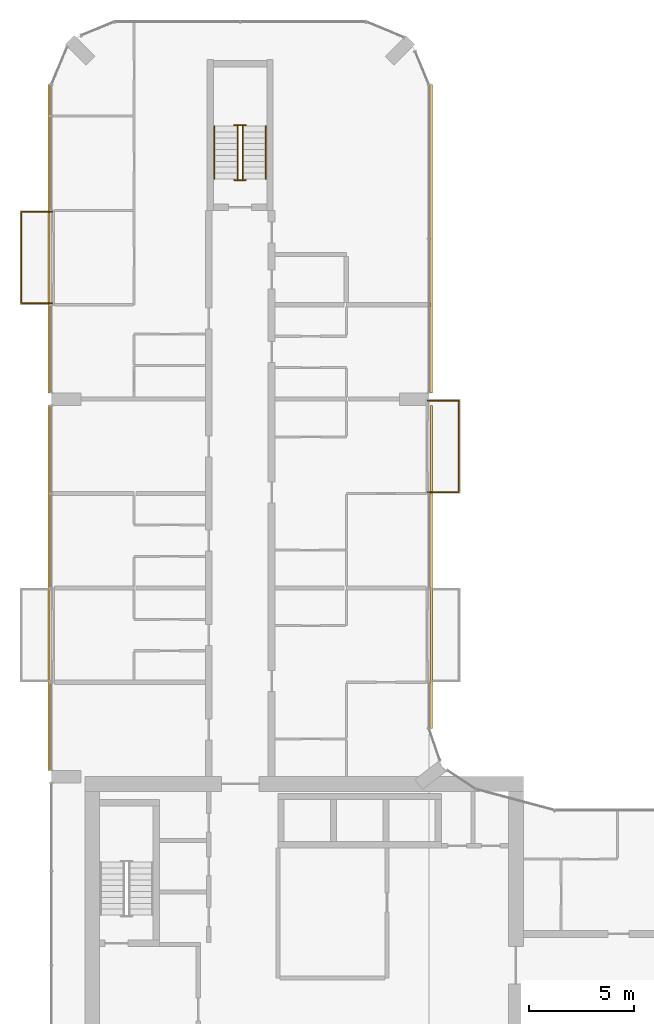
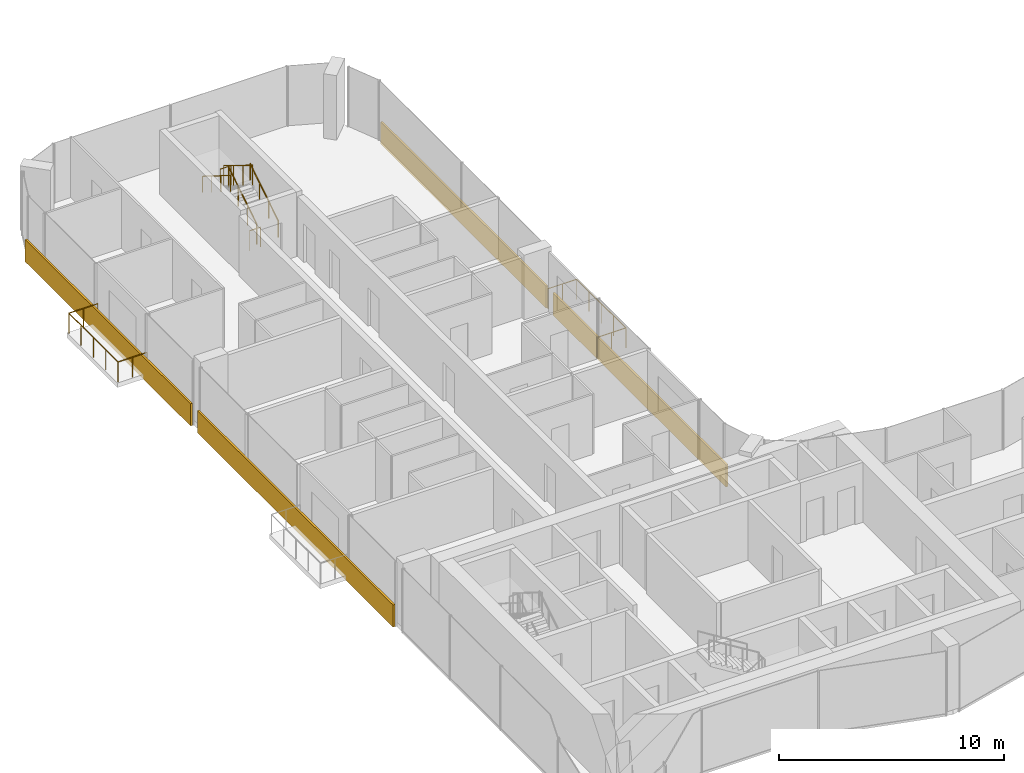
# One storey, part 22 of 23: 8 railings, 4 coverings.
"""IFC4 building model written with IfcOpenShell, lengths in metres."""

from ifc_helpers import new_model, si_unit, direction, frame, origin, origin_2d, place, context, subcontext, project, spatial, rectangle, circle, extrude, material, layer, layer_set, type_object, element, save


model = new_model("IFC4")

# Units and contexts
model_context = context("Model", 3, precision=1e-05, world=origin(), true_north=direction((0.0, 1.0)))
body_context = subcontext(model_context, "Body", "Model", "MODEL_VIEW")
ifc_project = project(units=[si_unit("LENGTHUNIT", "METRE"), si_unit("AREAUNIT", "SQUARE_METRE"), si_unit("VOLUMEUNIT", "CUBIC_METRE"), si_unit("PLANEANGLEUNIT", "RADIAN"), si_unit("MASSUNIT", "GRAM", prefix="KILO")], contexts=[model_context])

# Site, building, storey
site_placement = place(None, origin())
site = spatial("IfcSite", under=ifc_project, at=site_placement, CompositionType="ELEMENT")
building_placement = place(site_placement, origin())
building = spatial("IfcBuilding", under=site, at=building_placement, Name="Plateau Cross Towers", CompositionType="ELEMENT")
storey_placement = place(building_placement, frame((0.0, 0.0, 81.800048828125)))
storey = spatial("IfcBuildingStorey", under=building, at=storey_placement, Name="L20", CompositionType="ELEMENT", Elevation=81.800048828125)

# Railings
ifc_material_1 = material(Name="Stainless steel and toughened glass", Category="steel")
railing_type_1 = type_object("IfcRailingType", Name="Glass balustrade guard 1100", PredefinedType="GUARDRAIL", material=ifc_material_1)
railing_1_placement = place(storey_placement, frame((0.050048828125, 40.570068359375, 0.0)))
element("IfcRailing", 1, at=railing_1_placement, inside=storey, type_object=railing_type_1, Name="Guard guard1", PredefinedType="GUARDRAIL", context=body_context, shape_type="SweptSolid", body=[
    extrude(circle(Radius=0.02392578125, at=origin_2d()), frame((0.0, 0.0, 1.076171875), z_axis=(-1.0, 0.0, 0.0), x_axis=(0.0, -1.0, 0.0)), (0.0, 0.0, 1.0), 1.47998046875),
    extrude(circle(Radius=0.02392578125, at=origin_2d()), frame((-1.47998046875, 0.0, 1.076171875), z_axis=(0.0, 1.0, 0.0), x_axis=(-1.0, 0.0, 0.0)), (0.0, 0.0, 1.0), 4.35986328125),
    extrude(circle(Radius=0.02392578125, at=origin_2d()), frame((-1.47998046875, 4.35986328125, 1.076171875), z_axis=(1.0, 0.0, 0.0), x_axis=(0.0, 1.0, 0.0)), (0.0, 0.0, 1.0), 1.47998046875),
    extrude(circle(Radius=0.02099609375, at=origin_2d()), origin(), (0.0, 0.0, 1.0), 1.052001953125),
    extrude(circle(Radius=0.02099609375, at=origin_2d()), frame((-0.739990234375, 0.0, 0.0)), (0.0, 0.0, 1.0), 1.052001953125),
    extrude(circle(Radius=0.02099609375, at=origin_2d()), frame((-1.47998046875, 0.0, 0.0)), (0.0, 0.0, 1.0), 1.052001953125),
    extrude(circle(Radius=0.02099609375, at=origin_2d()), frame((-1.47998046875, 1.08984375, 0.0)), (0.0, 0.0, 1.0), 1.052001953125),
    extrude(circle(Radius=0.02099609375, at=origin_2d()), frame((-1.47998046875, 2.179931640625, 0.0)), (0.0, 0.0, 1.0), 1.052001953125),
    extrude(circle(Radius=0.02099609375, at=origin_2d()), frame((-1.47998046875, 3.27001953125, 0.0)), (0.0, 0.0, 1.0), 1.052001953125),
    extrude(circle(Radius=0.02099609375, at=origin_2d()), frame((-1.47998046875, 4.35986328125, 0.0)), (0.0, 0.0, 1.0), 1.052001953125),
    extrude(circle(Radius=0.02099609375, at=origin_2d()), frame((-0.739990234375, 4.35986328125, 0.0)), (0.0, 0.0, 1.0), 1.052001953125),
    extrude(circle(Radius=0.02099609375, at=origin_2d()), frame((0.0, 4.35986328125, 0.0)), (0.0, 0.0, 1.0), 1.052001953125),
])
railing_2_placement = place(storey_placement, frame((17.949951171875, 35.929931640625, 0.0)))
element("IfcRailing", 2, at=railing_2_placement, inside=storey, type_object=railing_type_1, Name="Guard guard1", PredefinedType="GUARDRAIL", context=body_context, shape_type="SweptSolid", body=[
    extrude(circle(Radius=0.02392578125, at=origin_2d()), frame((0.0, 0.0, 1.076171875), z_axis=(1.0, 0.0, 0.0), x_axis=(0.0, 1.0, 0.0)), (0.0, 0.0, 1.0), 1.47998046875),
    extrude(circle(Radius=0.02392578125, at=origin_2d()), frame((1.47998046875, 0.0, 1.076171875), z_axis=(0.0, -1.0, 0.0), x_axis=(1.0, 0.0, 0.0)), (0.0, 0.0, 1.0), 4.35986328125),
    extrude(circle(Radius=0.02392578125, at=origin_2d()), frame((1.47998046875, -4.35986328125, 1.076171875), z_axis=(-1.0, 0.0, 0.0), x_axis=(0.0, -1.0, 0.0)), (0.0, 0.0, 1.0), 1.47998046875),
    extrude(circle(Radius=0.02099609375, at=origin_2d()), origin(), (0.0, 0.0, 1.0), 1.052001953125),
    extrude(circle(Radius=0.02099609375, at=origin_2d()), frame((0.739990234375, 0.0, 0.0)), (0.0, 0.0, 1.0), 1.052001953125),
    extrude(circle(Radius=0.02099609375, at=origin_2d()), frame((1.47998046875, 0.0, 0.0)), (0.0, 0.0, 1.0), 1.052001953125),
    extrude(circle(Radius=0.02099609375, at=origin_2d()), frame((1.47998046875, -1.08984375, 0.0)), (0.0, 0.0, 1.0), 1.052001953125),
    extrude(circle(Radius=0.02099609375, at=origin_2d()), frame((1.47998046875, -2.179931640625, 0.0)), (0.0, 0.0, 1.0), 1.052001953125),
    extrude(circle(Radius=0.02099609375, at=origin_2d()), frame((1.47998046875, -3.27001953125, 0.0)), (0.0, 0.0, 1.0), 1.052001953125),
    extrude(circle(Radius=0.02099609375, at=origin_2d()), frame((1.47998046875, -4.35986328125, 0.0)), (0.0, 0.0, 1.0), 1.052001953125),
    extrude(circle(Radius=0.02099609375, at=origin_2d()), frame((0.739990234375, -4.35986328125, 0.0)), (0.0, 0.0, 1.0), 1.052001953125),
    extrude(circle(Radius=0.02099609375, at=origin_2d()), frame((0.0, -4.35986328125, 0.0)), (0.0, 0.0, 1.0), 1.052001953125),
])
railing_type_2 = type_object("IfcRailingType", Name="RL-GUARD-1100", PredefinedType="GUARDRAIL", material=ifc_material_1)
railing_3_placement = place(storey_placement, frame((9.125, 46.5, 0.175048828125)))
element("IfcRailing", 3, at=railing_3_placement, inside=storey, type_object=railing_type_2, Name="L20 ES-N stair guard 1", PredefinedType="GUARDRAIL", context=body_context, shape_type="SweptSolid", body=[
    extrude(circle(Radius=0.02392578125, at=origin_2d()), frame((0.0, 0.0, 1.076171875), z_axis=(0.0, 0.848007534815, 0.529984170421), x_axis=(-1.0, 0.0, 0.0)), (0.0, 0.0, 1.0), 2.9716796875),
    extrude(circle(Radius=0.02099609375, at=origin_2d()), origin(), (0.0, 0.0, 1.0), 1.052001953125),
    extrude(circle(Radius=0.02099609375, at=origin_2d()), frame((0.0, 0.840087890625, 0.52490234375)), (0.0, 0.0, 1.0), 1.052001953125),
    extrude(circle(Radius=0.02099609375, at=origin_2d()), frame((0.0, 1.679931640625, 1.050048828125)), (0.0, 0.0, 1.0), 1.052001953125),
    extrude(circle(Radius=0.02099609375, at=origin_2d()), frame((0.0, 2.52001953125, 1.574951171875)), (0.0, 0.0, 1.0), 1.052001953125),
])
railing_4_placement = place(storey_placement, frame((9.27490234375, 49.070068359375, 1.75)))
element("IfcRailing", 4, at=railing_4_placement, inside=storey, type_object=railing_type_2, Name="L20 ES-N stair guard 2", PredefinedType="GUARDRAIL", context=body_context, shape_type="SweptSolid", body=[
    extrude(circle(Radius=0.02392578125, at=origin_2d()), frame((0.0, 0.0, 1.076171875), z_axis=(-1.0, 0.0, 0.0), x_axis=(0.0, -1.0, 0.0)), (0.0, 0.0, 1.0), 0.5498046875),
    extrude(circle(Radius=0.02099609375, at=origin_2d()), origin(), (0.0, 0.0, 1.0), 1.052001953125),
    extrude(circle(Radius=0.02099609375, at=origin_2d()), frame((-0.5498046875, 0.0, 0.0)), (0.0, 0.0, 1.0), 1.052001953125),
])
railing_5_placement = place(storey_placement, frame((8.875, 49.02001953125, 1.925048828125)))
element("IfcRailing", 5, at=railing_5_placement, inside=storey, type_object=railing_type_2, Name="L20 ES-N stair guard 3", PredefinedType="GUARDRAIL", context=body_context, shape_type="SweptSolid", body=[
    extrude(circle(Radius=0.02392578125, at=origin_2d()), frame((0.0, 0.0, 1.076171875), z_axis=(0.0, -0.852638500773, 0.522501279423), x_axis=(1.0, 0.0, 0.0)), (0.0, 0.0, 1.0), 3.01416015625),
    extrude(circle(Radius=0.02099609375, at=origin_2d()), origin(), (0.0, 0.0, 1.0), 1.052001953125),
    extrude(circle(Radius=0.02099609375, at=origin_2d()), frame((0.0, -0.856689453125, 0.52490234375)), (0.0, 0.0, 1.0), 1.052001953125),
    extrude(circle(Radius=0.02099609375, at=origin_2d()), frame((0.0, -1.71337890625, 1.050048828125)), (0.0, 0.0, 1.0), 1.052001953125),
    extrude(circle(Radius=0.02099609375, at=origin_2d()), frame((0.0, -2.570068359375, 1.574951171875)), (0.0, 0.0, 1.0), 1.052001953125),
])
railing_6_placement = place(storey_placement, frame((9.27490234375, 46.449951171875, 0.0)))
element("IfcRailing", 6, at=railing_6_placement, inside=storey, type_object=railing_type_2, Name="L20 ES-N stair guard 4", PredefinedType="GUARDRAIL", context=body_context, shape_type="SweptSolid", body=[
    extrude(circle(Radius=0.02392578125, at=origin_2d()), frame((0.0, 0.0, 1.076171875), z_axis=(-1.0, 0.0, 0.0), x_axis=(0.0, -1.0, 0.0)), (0.0, 0.0, 1.0), 0.5498046875),
    extrude(circle(Radius=0.02099609375, at=origin_2d()), origin(), (0.0, 0.0, 1.0), 1.052001953125),
    extrude(circle(Radius=0.02099609375, at=origin_2d()), frame((-0.5498046875, 0.0, 0.0)), (0.0, 0.0, 1.0), 1.052001953125),
])
ifc_material_2 = material(Name="Black anodised aluminium", Category="aluminium")
railing_type_3 = type_object("IfcRailingType", Name="RL-HANDRAIL-900", PredefinedType="HANDRAIL", material=ifc_material_2)
railing_7_placement = place(storey_placement, frame((10.22509765625, 46.5, 0.175048828125)))
element("IfcRailing", 7, at=railing_7_placement, inside=storey, type_object=railing_type_3, Name="L20 ES-N stair handrail 1", PredefinedType="HANDRAIL", context=body_context, shape_type="SweptSolid", body=[
    extrude(circle(Radius=0.02392578125, at=origin_2d()), frame((0.0, 0.0, 0.8759765625), z_axis=(0.0, 0.848007534815, 0.529984170421), x_axis=(-1.0, 0.0, 0.0)), (0.0, 0.0, 1.0), 2.9716796875),
    extrude(circle(Radius=0.02099609375, at=origin_2d()), origin(), (0.0, 0.0, 1.0), 0.851806640625),
    extrude(circle(Radius=0.02099609375, at=origin_2d()), frame((0.0, 0.840087890625, 0.52490234375)), (0.0, 0.0, 1.0), 0.851806640625),
    extrude(circle(Radius=0.02099609375, at=origin_2d()), frame((0.0, 1.679931640625, 1.050048828125)), (0.0, 0.0, 1.0), 0.851806640625),
    extrude(circle(Radius=0.02099609375, at=origin_2d()), frame((0.0, 2.52001953125, 1.574951171875)), (0.0, 0.0, 1.0), 0.851806640625),
])
railing_8_placement = place(storey_placement, frame((7.77490234375, 49.02001953125, 1.925048828125)))
element("IfcRailing", 8, at=railing_8_placement, inside=storey, type_object=railing_type_3, Name="L20 ES-N stair handrail 2", PredefinedType="HANDRAIL", context=body_context, shape_type="SweptSolid", body=[
    extrude(circle(Radius=0.02392578125, at=origin_2d()), frame((0.0, 0.0, 0.8759765625), z_axis=(0.0, -0.848007534815, 0.529984170421), x_axis=(1.0, 0.0, 0.0)), (0.0, 0.0, 1.0), 2.9716796875),
    extrude(circle(Radius=0.02099609375, at=origin_2d()), origin(), (0.0, 0.0, 1.0), 0.851806640625),
    extrude(circle(Radius=0.02099609375, at=origin_2d()), frame((0.0, -0.840087890625, 0.52490234375)), (0.0, 0.0, 1.0), 0.851806640625),
    extrude(circle(Radius=0.02099609375, at=origin_2d()), frame((0.0, -1.679931640625, 1.050048828125)), (0.0, 0.0, 1.0), 0.851806640625),
    extrude(circle(Radius=0.02099609375, at=origin_2d()), frame((0.0, -2.52001953125, 1.574951171875)), (0.0, 0.0, 1.0), 0.851806640625),
])

# Coverings
ifc_material_3 = material(Name="Precast concrete cladding C40/50", Category="concrete")
ifc_layer = layer(ifc_material_3, 0.10009765625)
ifc_layer_set = layer_set([ifc_layer], Name="Precast concrete cladding C40/50")
covering_type = type_object("IfcCoveringType", Name="Spandrel band cladding 100x1200", PredefinedType="CLADDING", material=ifc_layer_set)
covering_1_placement = place(storey_placement, frame((18.1201171875, 28.001220703125, -0.25), z_axis=(0.0, 0.0, 1.0), x_axis=(0.0, 1.0, 0.0)))
element("IfcCovering", 9, at=covering_1_placement, inside=storey, type_object=covering_type, Name="Spandrel band", PredefinedType="CLADDING", context=body_context, shape_type="SweptSolid", body=[
    extrude(rectangle(XDim=15.397705078125, YDim=0.10009765625, at=origin_2d()), origin(), (0.0, 0.0, 1.0), 1.199951171875),
])
for number, where, z_axis, x_axis, name in (
    (10, (18.1201171875, 43.64990234375, -0.25), (0.0, 0.0, 1.0), (0.0, 1.0, 0.0), "Spandrel band"),
    (11, (-0.1201171875, 43.64990234375, -0.25), (0.0, 0.0, 1.0), (0.0, -1.0, 0.0), "Spandrel band"),
):
    element("IfcCovering", number, at=place(storey_placement, frame(where, z_axis=z_axis, x_axis=x_axis)), inside=storey, type_object=covering_type, Name=name, PredefinedType="CLADDING", context=body_context, shape_type="SweptSolid", body=[
        extrude(rectangle(XDim=14.699951171875, YDim=0.10009765625, at=origin_2d()), origin(), (0.0, 0.0, 1.0), 1.199951171875),
    ])
covering_2_placement = place(storey_placement, frame((-0.1201171875, 27.0, -0.25), z_axis=(0.0, 0.0, 1.0), x_axis=(0.0, -1.0, 0.0)))
element("IfcCovering", 12, at=covering_2_placement, inside=storey, type_object=covering_type, Name="Spandrel band", PredefinedType="CLADDING", context=body_context, shape_type="SweptSolid", body=[
    extrude(rectangle(XDim=17.39990234375, YDim=0.10009765625, at=origin_2d()), origin(), (0.0, 0.0, 1.0), 1.199951171875),
])

save(model, "model.ifc")
